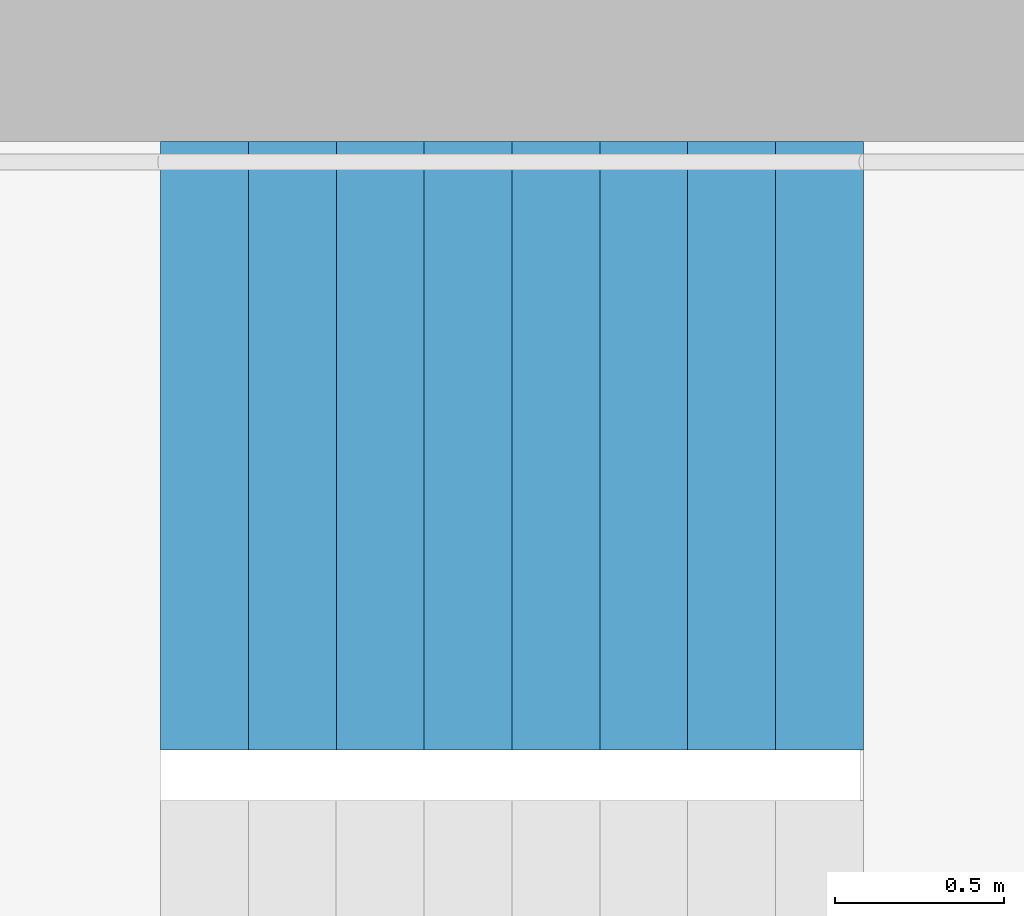
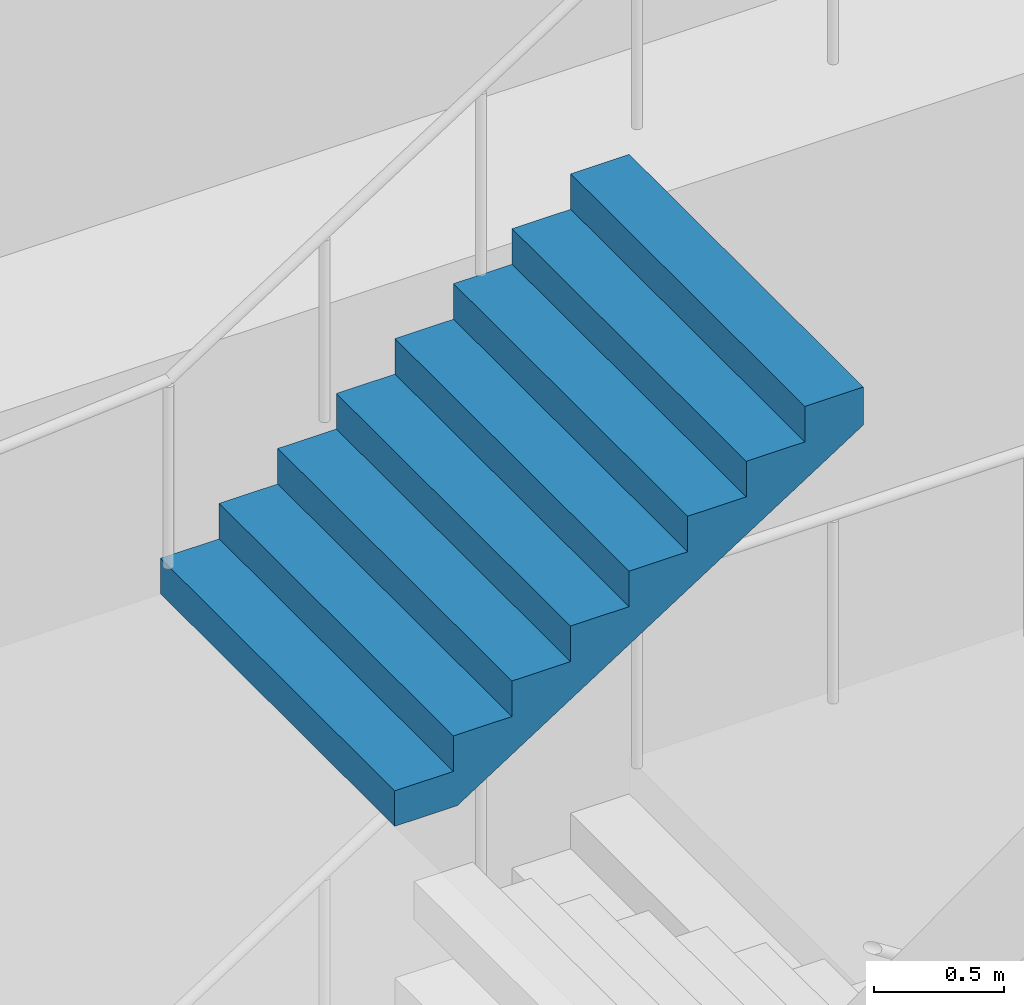
# One storey, part 69 of 100: 1 stair flight, 1 element without a shape of its own.
"""IFC4 building model written with IfcOpenShell, lengths in metres."""

from ifc_helpers import new_model, si_unit, direction, frame, origin, place, context, subcontext, project, spatial, triangles, material, type_object, element, aggregate, save


model = new_model("IFC4")

# Units and contexts
model_context = context("Model", 3, precision=1e-05, world=origin(), true_north=direction((0.0, 1.0)))
body_context = subcontext(model_context, "Body", "Model", "MODEL_VIEW")
ifc_project = project(units=[si_unit("LENGTHUNIT", "METRE"), si_unit("AREAUNIT", "SQUARE_METRE"), si_unit("VOLUMEUNIT", "CUBIC_METRE"), si_unit("PLANEANGLEUNIT", "RADIAN"), si_unit("MASSUNIT", "GRAM", prefix="KILO")], contexts=[model_context])

# Site, building, storey
site_placement = place(None, origin())
site = spatial("IfcSite", under=ifc_project, at=site_placement, CompositionType="ELEMENT")
building_placement = place(site_placement, origin())
building = spatial("IfcBuilding", under=site, at=building_placement, Name="Hakoniwa Tower and Hamabe Station Hall", CompositionType="ELEMENT")
storey_placement = place(building_placement, frame((0.0, 0.0, 9.0)))
storey = spatial("IfcBuildingStorey", under=building, at=storey_placement, Name="L02", CompositionType="ELEMENT", Elevation=9.0)

# Stair, stair flight
ifc_material_1 = material(Name="Concrete C40", Category="concrete")
stair_type = type_object("IfcStairType", Name="ESCAPE STAIR 1800", PredefinedType="HALF_TURN_STAIR", material=ifc_material_1)
stair_placement = place(storey_placement, origin())
stair = element("IfcStair", 1, at=stair_placement, inside=storey, type_object=stair_type, Name="Escape stair ST-3 L02", PredefinedType="HALF_TURN_STAIR")
ifc_material_2 = material(Name="Concrete C40", Category="concrete")
stair_flight_type = type_object("IfcStairFlightType", Name="STAIR FLIGHT 1800", PredefinedType="STRAIGHT", material=ifc_material_2)
stair_flight_placement = place(storey_placement, frame((22.320068359375, 6.60009765625, 4.5), z_axis=(0.0, 0.0, 1.0), x_axis=(1.0, 0.0, 0.0)))
stair_flight = element("IfcStairFlight", 2, at=stair_flight_placement, type_object=stair_flight_type, Name="ST-3 flight 4", NumberOfRisers=9, NumberOfTreads=8, PredefinedType="STRAIGHT", RiserHeight=0.166666667, TreadLength=0.26, context=body_context, shape_type="Tessellation", body=[
    triangles([(0.0, 0.89990234375, 0.0), (0.260009765625, 0.89990234375, 0.0), (0.27783203125, 0.89990234375, 0.0), (0.52001953125, 0.89990234375, 0.1552734375), (0.780029296875, 0.89990234375, 0.322021484375), (1.0400390625, 0.89990234375, 0.488525390625), (1.300048828125, 0.89990234375, 0.6552734375), (1.56005859375, 0.89990234375, 0.822021484375), (1.820068359375, 0.89990234375, 0.988525390625), (2.080078125, 0.89990234375, 1.1552734375), (2.080078125, 0.89990234375, 1.333251953125), (1.820068359375, 0.89990234375, 1.333251953125), (1.820068359375, 0.89990234375, 1.166748046875), (1.56005859375, 0.89990234375, 1.166748046875), (1.56005859375, 0.89990234375, 1.0), (1.300048828125, 0.89990234375, 1.0), (1.300048828125, 0.89990234375, 0.833251953125), (1.0400390625, 0.89990234375, 0.833251953125), (1.0400390625, 0.89990234375, 0.666748046875), (0.780029296875, 0.89990234375, 0.666748046875), (0.780029296875, 0.89990234375, 0.5), (0.52001953125, 0.89990234375, 0.5), (0.52001953125, 0.89990234375, 0.333251953125), (0.27783203125, 0.89990234375, 0.333251953125), (0.260009765625, 0.89990234375, 0.333251953125), (0.260009765625, 0.89990234375, 0.166748046875), (0.0, 0.89990234375, 0.166748046875), (0.0, 0.06005859375, 0.0), (0.260009765625, 0.06005859375, 0.0), (0.27783203125, 0.06005859375, 0.0), (0.52001953125, 0.06005859375, 0.1552734375), (0.780029296875, 0.06005859375, 0.322021484375), (1.0400390625, 0.06005859375, 0.488525390625), (1.300048828125, 0.06005859375, 0.6552734375), (1.56005859375, 0.06005859375, 0.822021484375), (1.820068359375, 0.06005859375, 0.988525390625), (2.080078125, 0.06005859375, 1.1552734375), (2.080078125, 0.06005859375, 1.333251953125), (1.820068359375, 0.06005859375, 1.333251953125), (1.820068359375, 0.06005859375, 1.166748046875), (1.56005859375, 0.06005859375, 1.166748046875), (1.56005859375, 0.06005859375, 1.0), (1.300048828125, 0.06005859375, 1.0), (1.300048828125, 0.06005859375, 0.833251953125), (1.0400390625, 0.06005859375, 0.833251953125), (1.0400390625, 0.06005859375, 0.666748046875), (0.780029296875, 0.06005859375, 0.666748046875), (0.780029296875, 0.06005859375, 0.5), (0.52001953125, 0.06005859375, 0.5), (0.52001953125, 0.06005859375, 0.333251953125), (0.27783203125, 0.06005859375, 0.333251953125), (0.260009765625, 0.06005859375, 0.333251953125), (0.260009765625, 0.06005859375, 0.166748046875), (0.0, 0.06005859375, 0.166748046875), (0.0, 0.04296875, 0.0), (0.260009765625, 0.04296875, 0.0), (0.27783203125, 0.04296875, 0.0), (0.52001953125, 0.04296875, 0.1552734375), (0.780029296875, 0.04296875, 0.322021484375), (1.0400390625, 0.04296875, 0.488525390625), (1.300048828125, 0.04296875, 0.6552734375), (1.56005859375, 0.04296875, 0.822021484375), (1.820068359375, 0.04296875, 0.988525390625), (2.080078125, 0.04296875, 1.1552734375), (2.080078125, 0.04296875, 1.333251953125), (1.820068359375, 0.04296875, 1.333251953125), (1.820068359375, 0.04296875, 1.166748046875), (1.56005859375, 0.04296875, 1.166748046875), (1.56005859375, 0.04296875, 1.0), (1.300048828125, 0.04296875, 1.0), (1.300048828125, 0.04296875, 0.833251953125), (1.0400390625, 0.04296875, 0.833251953125), (1.0400390625, 0.04296875, 0.666748046875), (0.780029296875, 0.04296875, 0.666748046875), (0.780029296875, 0.04296875, 0.5), (0.52001953125, 0.04296875, 0.5), (0.52001953125, 0.04296875, 0.333251953125), (0.27783203125, 0.04296875, 0.333251953125), (0.260009765625, 0.04296875, 0.333251953125), (0.260009765625, 0.04296875, 0.166748046875), (0.0, 0.04296875, 0.166748046875), (0.0, 0.025634765625, 0.0), (0.260009765625, 0.025634765625, 0.0), (0.27783203125, 0.025634765625, 0.0), (0.52001953125, 0.025634765625, 0.1552734375), (0.780029296875, 0.025634765625, 0.322021484375), (1.0400390625, 0.025634765625, 0.488525390625), (1.300048828125, 0.025634765625, 0.6552734375), (1.56005859375, 0.025634765625, 0.822021484375), (1.820068359375, 0.025634765625, 0.988525390625), (2.080078125, 0.025634765625, 1.1552734375), (2.080078125, 0.025634765625, 1.333251953125), (1.820068359375, 0.025634765625, 1.333251953125), (1.820068359375, 0.025634765625, 1.166748046875), (1.56005859375, 0.025634765625, 1.166748046875), (1.56005859375, 0.025634765625, 1.0), (1.300048828125, 0.025634765625, 1.0), (1.300048828125, 0.025634765625, 0.833251953125), (1.0400390625, 0.025634765625, 0.833251953125), (1.0400390625, 0.025634765625, 0.666748046875), (0.780029296875, 0.025634765625, 0.666748046875), (0.780029296875, 0.025634765625, 0.5), (0.52001953125, 0.025634765625, 0.5), (0.52001953125, 0.025634765625, 0.333251953125), (0.27783203125, 0.025634765625, 0.333251953125), (0.260009765625, 0.025634765625, 0.333251953125), (0.260009765625, 0.025634765625, 0.166748046875), (0.0, 0.025634765625, 0.166748046875), (0.0, 0.008544921875, 0.0), (0.260009765625, 0.008544921875, 0.0), (0.27783203125, 0.008544921875, 0.0), (0.52001953125, 0.008544921875, 0.1552734375), (0.780029296875, 0.008544921875, 0.322021484375), (1.0400390625, 0.008544921875, 0.488525390625), (1.300048828125, 0.008544921875, 0.6552734375), (1.56005859375, 0.008544921875, 0.822021484375), (1.820068359375, 0.008544921875, 0.988525390625), (2.080078125, 0.008544921875, 1.1552734375), (2.080078125, 0.008544921875, 1.333251953125), (1.820068359375, 0.008544921875, 1.333251953125), (1.820068359375, 0.008544921875, 1.166748046875), (1.56005859375, 0.008544921875, 1.166748046875), (1.56005859375, 0.008544921875, 1.0), (1.300048828125, 0.008544921875, 1.0), (1.300048828125, 0.008544921875, 0.833251953125), (1.0400390625, 0.008544921875, 0.833251953125), (1.0400390625, 0.008544921875, 0.666748046875), (0.780029296875, 0.008544921875, 0.666748046875), (0.780029296875, 0.008544921875, 0.5), (0.52001953125, 0.008544921875, 0.5), (0.52001953125, 0.008544921875, 0.333251953125), (0.27783203125, 0.008544921875, 0.333251953125), (0.260009765625, 0.008544921875, 0.333251953125), (0.260009765625, 0.008544921875, 0.166748046875), (0.0, 0.008544921875, 0.166748046875), (0.0, -0.008544921875, 0.0), (0.260009765625, -0.008544921875, 0.0), (0.27783203125, -0.008544921875, 0.0), (0.52001953125, -0.008544921875, 0.1552734375), (0.780029296875, -0.008544921875, 0.322021484375), (1.0400390625, -0.008544921875, 0.488525390625), (1.300048828125, -0.008544921875, 0.6552734375), (1.56005859375, -0.008544921875, 0.822021484375), (1.820068359375, -0.008544921875, 0.988525390625), (2.080078125, -0.008544921875, 1.1552734375), (2.080078125, -0.008544921875, 1.333251953125), (1.820068359375, -0.008544921875, 1.333251953125), (1.820068359375, -0.008544921875, 1.166748046875), (1.56005859375, -0.008544921875, 1.166748046875), (1.56005859375, -0.008544921875, 1.0), (1.300048828125, -0.008544921875, 1.0), (1.300048828125, -0.008544921875, 0.833251953125), (1.0400390625, -0.008544921875, 0.833251953125), (1.0400390625, -0.008544921875, 0.666748046875), (0.780029296875, -0.008544921875, 0.666748046875), (0.780029296875, -0.008544921875, 0.5), (0.52001953125, -0.008544921875, 0.5), (0.52001953125, -0.008544921875, 0.333251953125), (0.27783203125, -0.008544921875, 0.333251953125), (0.260009765625, -0.008544921875, 0.333251953125), (0.260009765625, -0.008544921875, 0.166748046875), (0.0, -0.008544921875, 0.166748046875), (0.0, -0.025634765625, 0.0), (0.260009765625, -0.025634765625, 0.0), (0.27783203125, -0.025634765625, 0.0), (0.52001953125, -0.025634765625, 0.1552734375), (0.780029296875, -0.025634765625, 0.322021484375), (1.0400390625, -0.025634765625, 0.488525390625), (1.300048828125, -0.025634765625, 0.6552734375), (1.56005859375, -0.025634765625, 0.822021484375), (1.820068359375, -0.025634765625, 0.988525390625), (2.080078125, -0.025634765625, 1.1552734375), (2.080078125, -0.025634765625, 1.333251953125), (1.820068359375, -0.025634765625, 1.333251953125), (1.820068359375, -0.025634765625, 1.166748046875), (1.56005859375, -0.025634765625, 1.166748046875), (1.56005859375, -0.025634765625, 1.0), (1.300048828125, -0.025634765625, 1.0), (1.300048828125, -0.025634765625, 0.833251953125), (1.0400390625, -0.025634765625, 0.833251953125), (1.0400390625, -0.025634765625, 0.666748046875), (0.780029296875, -0.025634765625, 0.666748046875), (0.780029296875, -0.025634765625, 0.5), (0.52001953125, -0.025634765625, 0.5), (0.52001953125, -0.025634765625, 0.333251953125), (0.27783203125, -0.025634765625, 0.333251953125), (0.260009765625, -0.025634765625, 0.333251953125), (0.260009765625, -0.025634765625, 0.166748046875), (0.0, -0.025634765625, 0.166748046875), (0.0, -0.04296875, 0.0), (0.260009765625, -0.04296875, 0.0), (0.27783203125, -0.04296875, 0.0), (0.52001953125, -0.04296875, 0.1552734375), (0.780029296875, -0.04296875, 0.322021484375), (1.0400390625, -0.04296875, 0.488525390625), (1.300048828125, -0.04296875, 0.6552734375), (1.56005859375, -0.04296875, 0.822021484375), (1.820068359375, -0.04296875, 0.988525390625), (2.080078125, -0.04296875, 1.1552734375), (2.080078125, -0.04296875, 1.333251953125), (1.820068359375, -0.04296875, 1.333251953125), (1.820068359375, -0.04296875, 1.166748046875), (1.56005859375, -0.04296875, 1.166748046875), (1.56005859375, -0.04296875, 1.0), (1.300048828125, -0.04296875, 1.0), (1.300048828125, -0.04296875, 0.833251953125), (1.0400390625, -0.04296875, 0.833251953125), (1.0400390625, -0.04296875, 0.666748046875), (0.780029296875, -0.04296875, 0.666748046875), (0.780029296875, -0.04296875, 0.5), (0.52001953125, -0.04296875, 0.5), (0.52001953125, -0.04296875, 0.333251953125), (0.27783203125, -0.04296875, 0.333251953125), (0.260009765625, -0.04296875, 0.333251953125), (0.260009765625, -0.04296875, 0.166748046875), (0.0, -0.04296875, 0.166748046875), (0.0, -0.06005859375, 0.0), (0.260009765625, -0.06005859375, 0.0), (0.27783203125, -0.06005859375, 0.0), (0.52001953125, -0.06005859375, 0.1552734375), (0.780029296875, -0.06005859375, 0.322021484375), (1.0400390625, -0.06005859375, 0.488525390625), (1.300048828125, -0.06005859375, 0.6552734375), (1.56005859375, -0.06005859375, 0.822021484375), (1.820068359375, -0.06005859375, 0.988525390625), (2.080078125, -0.06005859375, 1.1552734375), (2.080078125, -0.06005859375, 1.333251953125), (1.820068359375, -0.06005859375, 1.333251953125), (1.820068359375, -0.06005859375, 1.166748046875), (1.56005859375, -0.06005859375, 1.166748046875), (1.56005859375, -0.06005859375, 1.0), (1.300048828125, -0.06005859375, 1.0), (1.300048828125, -0.06005859375, 0.833251953125), (1.0400390625, -0.06005859375, 0.833251953125), (1.0400390625, -0.06005859375, 0.666748046875), (0.780029296875, -0.06005859375, 0.666748046875), (0.780029296875, -0.06005859375, 0.5), (0.52001953125, -0.06005859375, 0.5), (0.52001953125, -0.06005859375, 0.333251953125), (0.27783203125, -0.06005859375, 0.333251953125), (0.260009765625, -0.06005859375, 0.333251953125), (0.260009765625, -0.06005859375, 0.166748046875), (0.0, -0.06005859375, 0.166748046875), (0.0, -0.89990234375, 0.0), (0.260009765625, -0.89990234375, 0.0), (0.27783203125, -0.89990234375, 0.0), (0.52001953125, -0.89990234375, 0.1552734375), (0.780029296875, -0.89990234375, 0.322021484375), (1.0400390625, -0.89990234375, 0.488525390625), (1.300048828125, -0.89990234375, 0.6552734375), (1.56005859375, -0.89990234375, 0.822021484375), (1.820068359375, -0.89990234375, 0.988525390625), (2.080078125, -0.89990234375, 1.1552734375), (2.080078125, -0.89990234375, 1.333251953125), (1.820068359375, -0.89990234375, 1.333251953125), (1.820068359375, -0.89990234375, 1.166748046875), (1.56005859375, -0.89990234375, 1.166748046875), (1.56005859375, -0.89990234375, 1.0), (1.300048828125, -0.89990234375, 1.0), (1.300048828125, -0.89990234375, 0.833251953125), (1.0400390625, -0.89990234375, 0.833251953125), (1.0400390625, -0.89990234375, 0.666748046875), (0.780029296875, -0.89990234375, 0.666748046875), (0.780029296875, -0.89990234375, 0.5), (0.52001953125, -0.89990234375, 0.5), (0.52001953125, -0.89990234375, 0.333251953125), (0.27783203125, -0.89990234375, 0.333251953125), (0.260009765625, -0.89990234375, 0.333251953125), (0.260009765625, -0.89990234375, 0.166748046875), (0.0, -0.89990234375, 0.166748046875)], [[2, 27, 26], [245, 269, 270], [2, 1, 27], [245, 270, 244], [3, 25, 24], [246, 267, 268], [3, 26, 25], [246, 268, 269], [3, 2, 26], [246, 269, 245], [4, 24, 23], [247, 266, 267], [4, 3, 24], [247, 267, 246], [5, 22, 21], [248, 264, 265], [5, 23, 22], [248, 265, 266], [5, 4, 23], [248, 266, 247], [6, 20, 19], [249, 262, 263], [6, 21, 20], [249, 263, 264], [6, 5, 21], [249, 264, 248], [7, 18, 17], [250, 260, 261], [7, 19, 18], [250, 261, 262], [7, 6, 19], [250, 262, 249], [8, 16, 15], [251, 258, 259], [8, 17, 16], [251, 259, 260], [8, 7, 17], [251, 260, 250], [9, 14, 13], [252, 256, 257], [9, 15, 14], [252, 257, 258], [9, 8, 15], [252, 258, 251], [10, 12, 11], [253, 254, 255], [10, 13, 12], [253, 255, 256], [10, 9, 13], [253, 256, 252], [1, 2, 29], [1, 29, 28], [28, 29, 56], [28, 56, 55], [55, 56, 83], [55, 83, 82], [82, 83, 110], [82, 110, 109], [109, 110, 137], [109, 137, 136], [136, 137, 164], [136, 164, 163], [163, 164, 191], [163, 191, 190], [190, 191, 218], [190, 218, 217], [217, 218, 245], [217, 245, 244], [2, 3, 30], [2, 30, 29], [29, 30, 57], [29, 57, 56], [56, 57, 84], [56, 84, 83], [83, 84, 111], [83, 111, 110], [110, 111, 138], [110, 138, 137], [137, 138, 165], [137, 165, 164], [164, 165, 192], [164, 192, 191], [191, 192, 219], [191, 219, 218], [218, 219, 246], [218, 246, 245], [3, 4, 31], [3, 31, 30], [30, 31, 58], [30, 58, 57], [57, 58, 85], [57, 85, 84], [84, 85, 112], [84, 112, 111], [111, 112, 139], [111, 139, 138], [138, 139, 166], [138, 166, 165], [165, 166, 193], [165, 193, 192], [192, 193, 220], [192, 220, 219], [219, 220, 247], [219, 247, 246], [4, 5, 32], [4, 32, 31], [31, 32, 59], [31, 59, 58], [58, 59, 86], [58, 86, 85], [85, 86, 113], [85, 113, 112], [112, 113, 140], [112, 140, 139], [139, 140, 167], [139, 167, 166], [166, 167, 194], [166, 194, 193], [193, 194, 221], [193, 221, 220], [220, 221, 248], [220, 248, 247], [5, 6, 33], [5, 33, 32], [32, 33, 60], [32, 60, 59], [59, 60, 87], [59, 87, 86], [86, 87, 114], [86, 114, 113], [113, 114, 141], [113, 141, 140], [140, 141, 168], [140, 168, 167], [167, 168, 195], [167, 195, 194], [194, 195, 222], [194, 222, 221], [221, 222, 249], [221, 249, 248], [6, 7, 34], [6, 34, 33], [33, 34, 61], [33, 61, 60], [60, 61, 88], [60, 88, 87], [87, 88, 115], [87, 115, 114], [114, 115, 142], [114, 142, 141], [141, 142, 169], [141, 169, 168], [168, 169, 196], [168, 196, 195], [195, 196, 223], [195, 223, 222], [222, 223, 250], [222, 250, 249], [7, 8, 35], [7, 35, 34], [34, 35, 62], [34, 62, 61], [61, 62, 89], [61, 89, 88], [88, 89, 116], [88, 116, 115], [115, 116, 143], [115, 143, 142], [142, 143, 170], [142, 170, 169], [169, 170, 197], [169, 197, 196], [196, 197, 224], [196, 224, 223], [223, 224, 251], [223, 251, 250], [8, 9, 36], [8, 36, 35], [35, 36, 63], [35, 63, 62], [62, 63, 90], [62, 90, 89], [89, 90, 117], [89, 117, 116], [116, 117, 144], [116, 144, 143], [143, 144, 171], [143, 171, 170], [170, 171, 198], [170, 198, 197], [197, 198, 225], [197, 225, 224], [224, 225, 252], [224, 252, 251], [9, 10, 37], [9, 37, 36], [36, 37, 64], [36, 64, 63], [63, 64, 91], [63, 91, 90], [90, 91, 118], [90, 118, 117], [117, 118, 145], [117, 145, 144], [144, 145, 172], [144, 172, 171], [171, 172, 199], [171, 199, 198], [198, 199, 226], [198, 226, 225], [225, 226, 253], [225, 253, 252], [10, 11, 38], [10, 38, 37], [37, 38, 65], [37, 65, 64], [64, 65, 92], [64, 92, 91], [91, 92, 119], [91, 119, 118], [118, 119, 146], [118, 146, 145], [145, 146, 173], [145, 173, 172], [172, 173, 200], [172, 200, 199], [199, 200, 227], [199, 227, 226], [226, 227, 254], [226, 254, 253], [11, 12, 39], [11, 39, 38], [38, 39, 66], [38, 66, 65], [65, 66, 93], [65, 93, 92], [92, 93, 120], [92, 120, 119], [119, 120, 147], [119, 147, 146], [146, 147, 174], [146, 174, 173], [173, 174, 201], [173, 201, 200], [200, 201, 228], [200, 228, 227], [227, 228, 255], [227, 255, 254], [12, 13, 40], [12, 40, 39], [39, 40, 67], [39, 67, 66], [66, 67, 94], [66, 94, 93], [93, 94, 121], [93, 121, 120], [120, 121, 148], [120, 148, 147], [147, 148, 175], [147, 175, 174], [174, 175, 202], [174, 202, 201], [201, 202, 229], [201, 229, 228], [228, 229, 256], [228, 256, 255], [13, 14, 41], [13, 41, 40], [40, 41, 68], [40, 68, 67], [67, 68, 95], [67, 95, 94], [94, 95, 122], [94, 122, 121], [121, 122, 149], [121, 149, 148], [148, 149, 176], [148, 176, 175], [175, 176, 203], [175, 203, 202], [202, 203, 230], [202, 230, 229], [229, 230, 257], [229, 257, 256], [14, 15, 42], [14, 42, 41], [41, 42, 69], [41, 69, 68], [68, 69, 96], [68, 96, 95], [95, 96, 123], [95, 123, 122], [122, 123, 150], [122, 150, 149], [149, 150, 177], [149, 177, 176], [176, 177, 204], [176, 204, 203], [203, 204, 231], [203, 231, 230], [230, 231, 258], [230, 258, 257], [15, 16, 43], [15, 43, 42], [42, 43, 70], [42, 70, 69], [69, 70, 97], [69, 97, 96], [96, 97, 124], [96, 124, 123], [123, 124, 151], [123, 151, 150], [150, 151, 178], [150, 178, 177], [177, 178, 205], [177, 205, 204], [204, 205, 232], [204, 232, 231], [231, 232, 259], [231, 259, 258], [16, 17, 44], [16, 44, 43], [43, 44, 71], [43, 71, 70], [70, 71, 98], [70, 98, 97], [97, 98, 125], [97, 125, 124], [124, 125, 152], [124, 152, 151], [151, 152, 179], [151, 179, 178], [178, 179, 206], [178, 206, 205], [205, 206, 233], [205, 233, 232], [232, 233, 260], [232, 260, 259], [17, 18, 45], [17, 45, 44], [44, 45, 72], [44, 72, 71], [71, 72, 99], [71, 99, 98], [98, 99, 126], [98, 126, 125], [125, 126, 153], [125, 153, 152], [152, 153, 180], [152, 180, 179], [179, 180, 207], [179, 207, 206], [206, 207, 234], [206, 234, 233], [233, 234, 261], [233, 261, 260], [18, 19, 46], [18, 46, 45], [45, 46, 73], [45, 73, 72], [72, 73, 100], [72, 100, 99], [99, 100, 127], [99, 127, 126], [126, 127, 154], [126, 154, 153], [153, 154, 181], [153, 181, 180], [180, 181, 208], [180, 208, 207], [207, 208, 235], [207, 235, 234], [234, 235, 262], [234, 262, 261], [19, 20, 47], [19, 47, 46], [46, 47, 74], [46, 74, 73], [73, 74, 101], [73, 101, 100], [100, 101, 128], [100, 128, 127], [127, 128, 155], [127, 155, 154], [154, 155, 182], [154, 182, 181], [181, 182, 209], [181, 209, 208], [208, 209, 236], [208, 236, 235], [235, 236, 263], [235, 263, 262], [20, 21, 48], [20, 48, 47], [47, 48, 75], [47, 75, 74], [74, 75, 102], [74, 102, 101], [101, 102, 129], [101, 129, 128], [128, 129, 156], [128, 156, 155], [155, 156, 183], [155, 183, 182], [182, 183, 210], [182, 210, 209], [209, 210, 237], [209, 237, 236], [236, 237, 264], [236, 264, 263], [21, 22, 49], [21, 49, 48], [48, 49, 76], [48, 76, 75], [75, 76, 103], [75, 103, 102], [102, 103, 130], [102, 130, 129], [129, 130, 157], [129, 157, 156], [156, 157, 184], [156, 184, 183], [183, 184, 211], [183, 211, 210], [210, 211, 238], [210, 238, 237], [237, 238, 265], [237, 265, 264], [22, 23, 50], [22, 50, 49], [49, 50, 77], [49, 77, 76], [76, 77, 104], [76, 104, 103], [103, 104, 131], [103, 131, 130], [130, 131, 158], [130, 158, 157], [157, 158, 185], [157, 185, 184], [184, 185, 212], [184, 212, 211], [211, 212, 239], [211, 239, 238], [238, 239, 266], [238, 266, 265], [23, 24, 51], [23, 51, 50], [50, 51, 78], [50, 78, 77], [77, 78, 105], [77, 105, 104], [104, 105, 132], [104, 132, 131], [131, 132, 159], [131, 159, 158], [158, 159, 186], [158, 186, 185], [185, 186, 213], [185, 213, 212], [212, 213, 240], [212, 240, 239], [239, 240, 267], [239, 267, 266], [24, 25, 52], [24, 52, 51], [51, 52, 79], [51, 79, 78], [78, 79, 106], [78, 106, 105], [105, 106, 133], [105, 133, 132], [132, 133, 160], [132, 160, 159], [159, 160, 187], [159, 187, 186], [186, 187, 214], [186, 214, 213], [213, 214, 241], [213, 241, 240], [240, 241, 268], [240, 268, 267], [25, 26, 53], [25, 53, 52], [52, 53, 80], [52, 80, 79], [79, 80, 107], [79, 107, 106], [106, 107, 134], [106, 134, 133], [133, 134, 161], [133, 161, 160], [160, 161, 188], [160, 188, 187], [187, 188, 215], [187, 215, 214], [214, 215, 242], [214, 242, 241], [241, 242, 269], [241, 269, 268], [26, 27, 54], [26, 54, 53], [53, 54, 81], [53, 81, 80], [80, 81, 108], [80, 108, 107], [107, 108, 135], [107, 135, 134], [134, 135, 162], [134, 162, 161], [161, 162, 189], [161, 189, 188], [188, 189, 216], [188, 216, 215], [215, 216, 243], [215, 243, 242], [242, 243, 270], [242, 270, 269], [27, 1, 28], [27, 28, 54], [54, 28, 55], [54, 55, 81], [81, 55, 82], [81, 82, 108], [108, 82, 109], [108, 109, 135], [135, 109, 136], [135, 136, 162], [162, 136, 163], [162, 163, 189], [189, 163, 190], [189, 190, 216], [216, 190, 217], [216, 217, 243], [243, 217, 244], [243, 244, 270]], closed=True),
])
aggregate(stair, [stair_flight])

save(model, "model.ifc")
